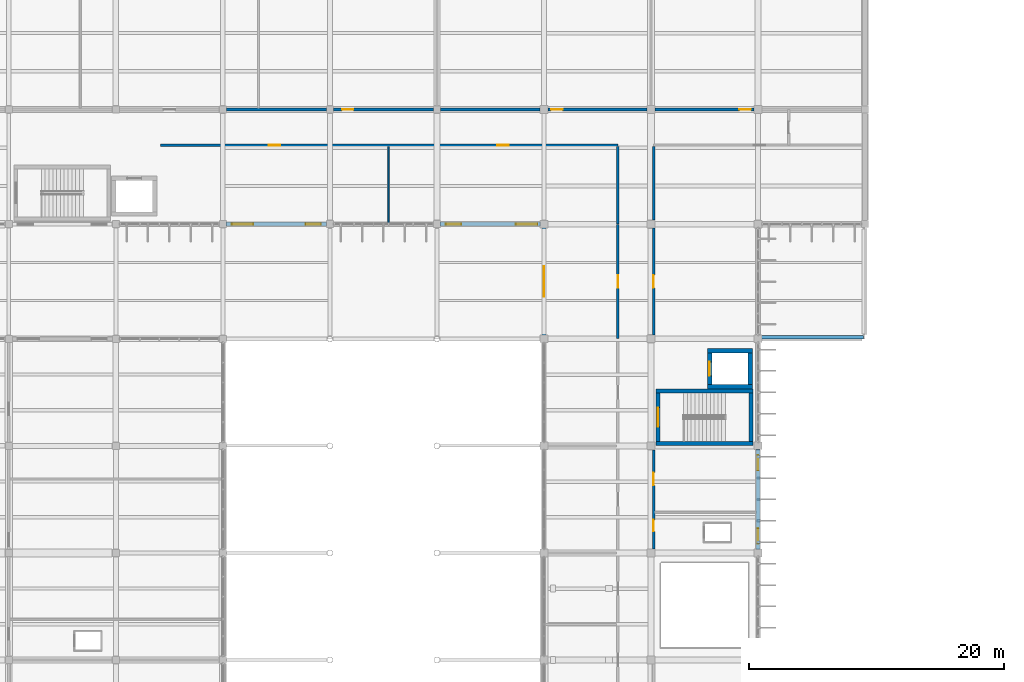
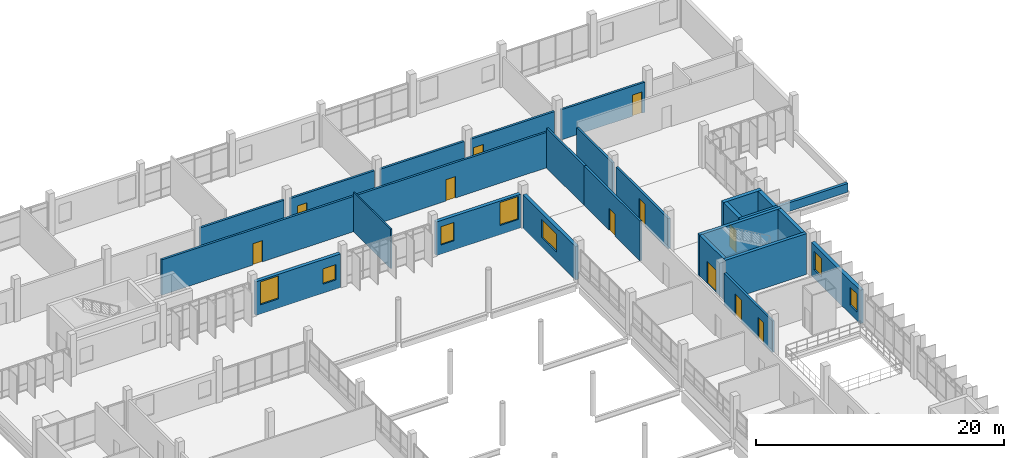
# One storey, part 116 of 130: 25 walls, 11 doors, 7 windows, 18 openings.
"""IFC4 building model written with IfcOpenShell, lengths in metres."""

from ifc_helpers import new_model, si_unit, direction, frame, frame_2d, origin, place, context, subcontext, project, spatial, rectangle, extrude, material, layer, layer_set, type_object, element, fill, save


model = new_model("IFC4")

# Units and contexts
model_context = context("Model", 3, precision=1e-05, world=origin(), true_north=direction((0.0, 1.0)))
body_context = subcontext(model_context, "Body", "Model", "MODEL_VIEW")
ifc_project = project(units=[si_unit("LENGTHUNIT", "METRE"), si_unit("AREAUNIT", "SQUARE_METRE"), si_unit("VOLUMEUNIT", "CUBIC_METRE"), si_unit("PLANEANGLEUNIT", "RADIAN"), si_unit("MASSUNIT", "GRAM", prefix="KILO")], contexts=[model_context])

# Site, building, storey
site_placement = place(None, origin())
site = spatial("IfcSite", under=ifc_project, at=site_placement, CompositionType="ELEMENT")
building_placement = place(site_placement, origin())
building = spatial("IfcBuilding", under=site, at=building_placement, Name="Vireocrest Preparatory School", CompositionType="ELEMENT")
storey_placement = place(building_placement, frame((0.0, 0.0, 9.0)))
storey = spatial("IfcBuildingStorey", under=building, at=storey_placement, Name="L02", CompositionType="ELEMENT", Elevation=9.0)

# Wall
ifc_material_1 = material(Name="Gypsum board on cold-formed steel studs", Category="steel")
ifc_layer_1 = layer(ifc_material_1, 0.199951171875)
ifc_layer_set_1 = layer_set([ifc_layer_1], Name="Gypsum board on cold-formed steel studs")
wall_type_1 = type_object("IfcWallType", Name="Corridor One-Hour Fire Partition 200", PredefinedType="PARTITIONING", material=ifc_layer_set_1)
wall_1_placement = place(storey_placement, frame((67.485107421875, 103.800048828125, 0.0), z_axis=(0.0, 0.0, 1.0), x_axis=(1.0, 0.0, 0.0)))
element("IfcWall", 1, at=wall_1_placement, inside=storey, type_object=wall_type_1, Name="Interior Partition W06 IW_L02_0212", PredefinedType="PARTITIONING", context=body_context, shape_type="SweptSolid", body=[
    extrude(rectangle(XDim=7.829833984375, YDim=0.199951171875, at=frame_2d((3.9150390625, 0.0))), origin(), (0.0, 0.0, 1.0), 3.110107421875),
])

# Wall, opening, door
wall_2_placement = place(storey_placement, frame((75.885009765625, 103.800048828125, 0.0), z_axis=(0.0, 0.0, 1.0), x_axis=(1.0, 0.0, 0.0)))
wall_2 = element("IfcWall", 2, at=wall_2_placement, inside=storey, type_object=wall_type_1, Name="Interior Partition W06 IW_L02_0213", PredefinedType="PARTITIONING", context=body_context, shape_type="SweptSolid", body=[
    extrude(rectangle(XDim=7.830078125, YDim=0.199951171875, at=frame_2d((3.9150390625, 0.0))), origin(), (0.0, 0.0, 1.0), 3.06005859375),
])
opening_1_placement = place(wall_2_placement, frame((0.6650390625, 0.0, 0.0)))
opening_1 = element("IfcOpeningElement", 3, at=opening_1_placement, cuts=wall_2, Name="Opening D-L02-N2N03", PredefinedType="OPENING", context=body_context, shape_type="SweptSolid", body=[
    extrude(rectangle(XDim=0.89990234375, YDim=2.10009765625, at=frame_2d((0.449951171875, 1.050048828125))), frame((0.0, 0.10986328125, 0.0), z_axis=(0.0, -1.0, 0.0), x_axis=(1.0, 0.0, 0.0)), (0.0, 0.0, 1.0), 0.219970703125),
])
ifc_material_2 = material(Name="Solid-core architectural birch timber", Category="wood")
door_type_1 = type_object("IfcDoorType", Name="Office Timber Door 900x2100", OperationType="NOTDEFINED", PredefinedType="DOOR", material=ifc_material_2)
door_1_placement = place(opening_1_placement, origin())
door_1 = element("IfcDoor", 4, at=door_1_placement, inside=storey, type_object=door_type_1, Name="Interior Door D-L02-N2N03", OperationType="SINGLE_SWING_LEFT", OverallHeight=2.10009765625, OverallWidth=0.89990234375, PredefinedType="DOOR", context=body_context, shape_type="SweptSolid", body=[
    extrude(rectangle(XDim=0.89990234375, YDim=2.10009765625, at=frame_2d((0.449951171875, 1.050048828125))), frame((0.0, 0.02490234375, 0.0), z_axis=(0.0, -1.0, 0.0), x_axis=(1.0, 0.0, 0.0)), (0.0, 0.0, 1.0), 0.050048828125),
])
fill(opening_1, door_1)

# Wall
wall_3_placement = place(storey_placement, frame((84.284912109375, 103.800048828125, 0.0), z_axis=(0.0, 0.0, 1.0), x_axis=(1.0, 0.0, 0.0)))
element("IfcWall", 5, at=wall_3_placement, inside=storey, type_object=wall_type_1, Name="Interior Partition W06 IW_L02_0214", PredefinedType="PARTITIONING", context=body_context, shape_type="SweptSolid", body=[
    extrude(rectangle(XDim=7.80517578125, YDim=0.199951171875, at=frame_2d((3.902587890625, 0.0))), origin(), (0.0, 0.0, 1.0), 3.010009765625),
])

# Wall, opening, door
wall_4_placement = place(storey_placement, frame((92.7099609375, 103.800048828125, 0.0), z_axis=(0.0, 0.0, 1.0), x_axis=(1.0, 0.0, 0.0)))
wall_4 = element("IfcWall", 6, at=wall_4_placement, inside=storey, type_object=wall_type_1, Name="Interior Partition W06 IW_L02_0215", PredefinedType="PARTITIONING", context=body_context, shape_type="SweptSolid", body=[
    extrude(rectangle(XDim=7.780029296875, YDim=0.199951171875, at=frame_2d((3.89013671875, 0.0))), origin(), (0.0, 0.0, 1.0), 3.010009765625),
])
opening_2_placement = place(wall_4_placement, frame((0.25, 0.0, 0.0)))
opening_2 = element("IfcOpeningElement", 7, at=opening_2_placement, cuts=wall_4, Name="Opening D-L02-N2N04", PredefinedType="OPENING", context=body_context, shape_type="SweptSolid", body=[
    extrude(rectangle(XDim=0.89990234375, YDim=2.10009765625, at=frame_2d((0.449951171875, 1.050048828125))), frame((0.0, 0.10986328125, 0.0), z_axis=(0.0, -1.0, 0.0), x_axis=(1.0, 0.0, 0.0)), (0.0, 0.0, 1.0), 0.219970703125),
])
door_2_placement = place(opening_2_placement, origin())
door_2 = element("IfcDoor", 8, at=door_2_placement, inside=storey, type_object=door_type_1, Name="Interior Door D-L02-N2N04", OperationType="SINGLE_SWING_RIGHT", OverallHeight=2.10009765625, OverallWidth=0.89990234375, PredefinedType="DOOR", context=body_context, shape_type="SweptSolid", body=[
    extrude(rectangle(XDim=0.89990234375, YDim=2.10009765625, at=frame_2d((0.449951171875, 1.050048828125))), frame((0.0, 0.02490234375, 0.0), z_axis=(0.0, -1.0, 0.0), x_axis=(1.0, 0.0, 0.0)), (0.0, 0.0, 1.0), 0.050048828125),
])
fill(opening_2, door_2)

wall_5_placement = place(storey_placement, frame((101.110107421875, 103.800048828125, 0.0), z_axis=(0.0, 0.0, 1.0), x_axis=(1.0, 0.0, 0.0)))
wall_5 = element("IfcWall", 9, at=wall_5_placement, inside=storey, type_object=wall_type_1, Name="Interior Partition W06 IW_L02_0216", PredefinedType="PARTITIONING", context=body_context, shape_type="SweptSolid", body=[
    extrude(rectangle(XDim=7.77978515625, YDim=0.199951171875, at=frame_2d((3.889892578125, 0.0))), origin(), (0.0, 0.0, 1.0), 2.9599609375),
])
opening_3_placement = place(wall_5_placement, frame((6.6298828125, 0.0, 0.0)))
opening_3 = element("IfcOpeningElement", 10, at=opening_3_placement, cuts=wall_5, Name="Opening D-L02-N2N05", PredefinedType="OPENING", context=body_context, shape_type="SweptSolid", body=[
    extrude(rectangle(XDim=0.89990234375, YDim=2.10009765625, at=frame_2d((0.449951171875, 1.050048828125))), frame((0.0, 0.10986328125, 0.0), z_axis=(0.0, -1.0, 0.0), x_axis=(1.0, 0.0, 0.0)), (0.0, 0.0, 1.0), 0.219970703125),
])
door_3_placement = place(opening_3_placement, origin())
door_3 = element("IfcDoor", 11, at=door_3_placement, inside=storey, type_object=door_type_1, Name="Interior Door D-L02-N2N05", OperationType="SINGLE_SWING_LEFT", OverallHeight=2.10009765625, OverallWidth=0.89990234375, PredefinedType="DOOR", context=body_context, shape_type="SweptSolid", body=[
    extrude(rectangle(XDim=0.89990234375, YDim=2.10009765625, at=frame_2d((0.449951171875, 1.050048828125))), frame((0.0, 0.02490234375, 0.0), z_axis=(0.0, -1.0, 0.0), x_axis=(1.0, 0.0, 0.0)), (0.0, 0.0, 1.0), 0.050048828125),
])
fill(opening_3, door_3)

# Wall, openings, doors
wall_6_placement = place(storey_placement, frame((62.31005859375, 101.0, 0.0), z_axis=(0.0, 0.0, 1.0), x_axis=(1.0, 0.0, 0.0)))
wall_6 = element("IfcWall", 12, at=wall_6_placement, inside=storey, type_object=wall_type_1, Name="Interior Partition W06 IW_L02_0219", PredefinedType="PARTITIONING", context=body_context, shape_type="SweptSolid", body=[
    extrude(rectangle(XDim=35.8798828125, YDim=0.199951171875, at=frame_2d((17.93994140625, 0.0))), origin(), (0.0, 0.0, 1.0), 3.47998046875),
])
opening_4_placement = place(wall_6_placement, frame((8.489990234375, 0.0, 0.0)))
opening_4 = element("IfcOpeningElement", 13, at=opening_4_placement, cuts=wall_6, Name="Opening D-L02-N2SW01", PredefinedType="OPENING", context=body_context, shape_type="SweptSolid", body=[
    extrude(rectangle(XDim=0.89990234375, YDim=2.10009765625, at=frame_2d((0.449951171875, 1.050048828125))), frame((0.0, 0.10986328125, 0.0), z_axis=(0.0, -1.0, 0.0), x_axis=(1.0, 0.0, 0.0)), (0.0, 0.0, 1.0), 0.219970703125),
])
opening_5_placement = place(wall_6_placement, frame((26.43994140625, 0.0, 0.0)))
opening_5 = element("IfcOpeningElement", 14, at=opening_5_placement, cuts=wall_6, Name="Opening D-L02-N2SW02", PredefinedType="OPENING", context=body_context, shape_type="SweptSolid", body=[
    extrude(rectangle(XDim=0.89990234375, YDim=2.10009765625, at=frame_2d((0.449951171875, 1.050048828125))), frame((0.0, 0.10986328125, 0.0), z_axis=(0.0, -1.0, 0.0), x_axis=(1.0, 0.0, 0.0)), (0.0, 0.0, 1.0), 0.219970703125),
])
door_4_placement = place(opening_4_placement, origin())
door_4 = element("IfcDoor", 15, at=door_4_placement, inside=storey, type_object=door_type_1, Name="Interior Door D-L02-N2SW01", OperationType="SINGLE_SWING_RIGHT", OverallHeight=2.10009765625, OverallWidth=0.89990234375, PredefinedType="DOOR", context=body_context, shape_type="SweptSolid", body=[
    extrude(rectangle(XDim=0.89990234375, YDim=2.10009765625, at=frame_2d((0.449951171875, 1.050048828125))), frame((0.0, 0.02490234375, 0.0), z_axis=(0.0, -1.0, 0.0), x_axis=(1.0, 0.0, 0.0)), (0.0, 0.0, 1.0), 0.050048828125),
])
fill(opening_4, door_4)
door_5_placement = place(opening_5_placement, origin())
door_5 = element("IfcDoor", 16, at=door_5_placement, inside=storey, type_object=door_type_1, Name="Interior Door D-L02-N2SW02", OperationType="SINGLE_SWING_LEFT", OverallHeight=2.10009765625, OverallWidth=0.89990234375, PredefinedType="DOOR", context=body_context, shape_type="SweptSolid", body=[
    extrude(rectangle(XDim=0.89990234375, YDim=2.10009765625, at=frame_2d((0.449951171875, 1.050048828125))), frame((0.0, 0.02490234375, 0.0), z_axis=(0.0, -1.0, 0.0), x_axis=(1.0, 0.0, 0.0)), (0.0, 0.0, 1.0), 0.050048828125),
])
fill(opening_5, door_5)

# Walls
wall_7_placement = place(storey_placement, frame((98.199951171875, 94.81005859375, 0.0), z_axis=(0.0, 0.0, 1.0), x_axis=(0.0, 1.0, 0.0)))
element("IfcWall", 17, at=wall_7_placement, inside=storey, type_object=wall_type_1, Name="Interior Partition W06 IW_L02_0220", PredefinedType="PARTITIONING", context=body_context, shape_type="SweptSolid", body=[
    extrude(rectangle(XDim=6.0849609375, YDim=0.199951171875, at=frame_2d((3.04248046875, 0.0))), origin(), (0.0, 0.0, 1.0), 3.89990234375),
])
wall_8_placement = place(storey_placement, frame((101.0, 95.110107421875, 0.0), z_axis=(0.0, 0.0, 1.0), x_axis=(0.0, 1.0, 0.0)))
element("IfcWall", 18, at=wall_8_placement, inside=storey, type_object=wall_type_1, Name="Interior Partition W06 IW_L02_0222", PredefinedType="PARTITIONING", context=body_context, shape_type="SweptSolid", body=[
    extrude(rectangle(XDim=5.784912109375, YDim=0.199951171875, at=frame_2d((2.892578125, 0.0))), origin(), (0.0, 0.0, 1.0), 3.010009765625),
])

# Wall, opening, door
wall_9_placement = place(storey_placement, frame((98.199951171875, 85.81005859375, 0.0), z_axis=(0.0, 0.0, 1.0), x_axis=(0.0, 1.0, 0.0)))
wall_9 = element("IfcWall", 19, at=wall_9_placement, inside=storey, type_object=wall_type_1, Name="Interior Partition W06 IW_L02_0223", PredefinedType="PARTITIONING", context=body_context, shape_type="SweptSolid", body=[
    extrude(rectangle(XDim=8.97998046875, YDim=0.199951171875, at=frame_2d((4.489990234375, 0.0))), origin(), (0.0, 0.0, 1.0), 3.89990234375),
])
opening_6_placement = place(wall_9_placement, frame((3.989990234375, 0.0, 0.0)))
opening_6 = element("IfcOpeningElement", 20, at=opening_6_placement, cuts=wall_9, Name="Opening D-L02-E2NLW01", PredefinedType="OPENING", context=body_context, shape_type="SweptSolid", body=[
    extrude(rectangle(XDim=1.0, YDim=2.14990234375, at=frame_2d((0.5, 1.074951171875))), frame((0.0, 0.10986328125, 0.0), z_axis=(0.0, -1.0, 0.0), x_axis=(1.0, 0.0, 0.0)), (0.0, 0.0, 1.0), 0.219970703125),
])
door_type_2 = type_object("IfcDoorType", Name="Classroom Acoustic Timber Door 1000x2150", OperationType="NOTDEFINED", PredefinedType="DOOR", material=ifc_material_2)
door_6_placement = place(opening_6_placement, origin())
door_6 = element("IfcDoor", 21, at=door_6_placement, inside=storey, type_object=door_type_2, Name="Interior Door D-L02-E2NLW01", OperationType="SINGLE_SWING_LEFT", OverallHeight=2.14990234375, OverallWidth=1.0, PredefinedType="DOOR", context=body_context, shape_type="SweptSolid", body=[
    extrude(rectangle(XDim=1.0, YDim=2.14990234375, at=frame_2d((0.5, 1.074951171875))), frame((0.0, 0.02490234375, 0.0), z_axis=(0.0, -1.0, 0.0), x_axis=(1.0, 0.0, 0.0)), (0.0, 0.0, 1.0), 0.050048828125),
])
fill(opening_6, door_6)

wall_10_placement = place(storey_placement, frame((101.0, 86.110107421875, 0.0), z_axis=(0.0, 0.0, 1.0), x_axis=(0.0, 1.0, 0.0)))
wall_10 = element("IfcWall", 22, at=wall_10_placement, inside=storey, type_object=wall_type_1, Name="Interior Partition W06 IW_L02_0224", PredefinedType="PARTITIONING", context=body_context, shape_type="SweptSolid", body=[
    extrude(rectangle(XDim=8.3798828125, YDim=0.199951171875, at=frame_2d((4.18994140625, 0.0))), origin(), (0.0, 0.0, 1.0), 2.989990234375),
])
opening_7_placement = place(wall_10_placement, frame((3.68994140625, 0.0, 0.0)))
opening_7 = element("IfcOpeningElement", 23, at=opening_7_placement, cuts=wall_10, Name="Opening D-L02-E2NLE01", PredefinedType="OPENING", context=body_context, shape_type="SweptSolid", body=[
    extrude(rectangle(XDim=1.0, YDim=2.14990234375, at=frame_2d((0.5, 1.074951171875))), frame((0.0, 0.10986328125, 0.0), z_axis=(0.0, -1.0, 0.0), x_axis=(1.0, 0.0, 0.0)), (0.0, 0.0, 1.0), 0.219970703125),
])
door_7_placement = place(opening_7_placement, origin())
door_7 = element("IfcDoor", 24, at=door_7_placement, inside=storey, type_object=door_type_2, Name="Interior Door D-L02-E2NLE01", OperationType="SINGLE_SWING_RIGHT", OverallHeight=2.14990234375, OverallWidth=1.0, PredefinedType="DOOR", context=body_context, shape_type="SweptSolid", body=[
    extrude(rectangle(XDim=1.0, YDim=2.14990234375, at=frame_2d((0.5, 1.074951171875))), frame((0.0, 0.02490234375, 0.0), z_axis=(0.0, -1.0, 0.0), x_axis=(1.0, 0.0, 0.0)), (0.0, 0.0, 1.0), 0.050048828125),
])
fill(opening_7, door_7)

# Wall, openings, doors
wall_11_placement = place(storey_placement, frame((101.0, 69.31005859375, 0.0), z_axis=(0.0, 0.0, 1.0), x_axis=(0.0, 1.0, 0.0)))
wall_11 = element("IfcWall", 25, at=wall_11_placement, inside=storey, type_object=wall_type_1, Name="Interior Partition W06 IW_L02_0239", PredefinedType="PARTITIONING", context=body_context, shape_type="SweptSolid", body=[
    extrude(rectangle(XDim=7.780029296875, YDim=0.199951171875, at=frame_2d((3.89013671875, 0.0))), origin(), (0.0, 0.0, 1.0), 3.090087890625),
])
opening_8_placement = place(wall_11_placement, frame((1.389892578125, 0.0, 0.0)))
opening_8 = element("IfcOpeningElement", 26, at=opening_8_placement, cuts=wall_11, Name="Opening D-L02-E2ENN01", PredefinedType="OPENING", context=body_context, shape_type="SweptSolid", body=[
    extrude(rectangle(XDim=0.89990234375, YDim=2.10009765625, at=frame_2d((0.449951171875, 1.050048828125))), frame((0.0, 0.10986328125, 0.0), z_axis=(0.0, -1.0, 0.0), x_axis=(1.0, 0.0, 0.0)), (0.0, 0.0, 1.0), 0.219970703125),
])
opening_9_placement = place(wall_11_placement, frame((4.989990234375, 0.0, 0.0)))
opening_9 = element("IfcOpeningElement", 27, at=opening_9_placement, cuts=wall_11, Name="Opening D-L02-E2ENN02", PredefinedType="OPENING", context=body_context, shape_type="SweptSolid", body=[
    extrude(rectangle(XDim=1.0, YDim=2.14990234375, at=frame_2d((0.5, 1.074951171875))), frame((0.0, 0.10986328125, 0.0), z_axis=(0.0, -1.0, 0.0), x_axis=(1.0, 0.0, 0.0)), (0.0, 0.0, 1.0), 0.219970703125),
])
door_8_placement = place(opening_9_placement, origin())
door_8 = element("IfcDoor", 28, at=door_8_placement, inside=storey, type_object=door_type_2, Name="Interior Door D-L02-E2ENN02", OperationType="SINGLE_SWING_LEFT", OverallHeight=2.14990234375, OverallWidth=1.0, PredefinedType="DOOR", context=body_context, shape_type="SweptSolid", body=[
    extrude(rectangle(XDim=1.0, YDim=2.14990234375, at=frame_2d((0.5, 1.074951171875))), frame((0.0, 0.02490234375, 0.0), z_axis=(0.0, -1.0, 0.0), x_axis=(1.0, 0.0, 0.0)), (0.0, 0.0, 1.0), 0.050048828125),
])
fill(opening_9, door_8)
door_9_placement = place(opening_8_placement, origin())
door_9 = element("IfcDoor", 29, at=door_9_placement, inside=storey, type_object=door_type_1, Name="Interior Door D-L02-E2ENN01", OperationType="SINGLE_SWING_RIGHT", OverallHeight=2.10009765625, OverallWidth=0.89990234375, PredefinedType="DOOR", context=body_context, shape_type="SweptSolid", body=[
    extrude(rectangle(XDim=0.89990234375, YDim=2.10009765625, at=frame_2d((0.449951171875, 1.050048828125))), frame((0.0, 0.02490234375, 0.0), z_axis=(0.0, -1.0, 0.0), x_axis=(1.0, 0.0, 0.0)), (0.0, 0.0, 1.0), 0.050048828125),
])
fill(opening_8, door_9)

# Wall, openings, windows
ifc_material_3 = material(Name="Precast white concrete 40 MPa", Category="concrete")
ifc_layer_2 = layer(ifc_material_3, 0.320068359375)
ifc_layer_set_2 = layer_set([ifc_layer_2], Name="Precast white concrete 40 MPa")
wall_type_2 = type_object("IfcWallType", Name="High-Tech Insulated Rainscreen External Wall 320", PredefinedType="SOLIDWALL", material=ifc_layer_set_2)
wall_12_placement = place(storey_placement, frame((109.199951171875, 69.27490234375, 0.0), z_axis=(0.0, 0.0, 1.0), x_axis=(0.0, 1.0, 0.0)))
wall_12 = element("IfcWall", 30, at=wall_12_placement, inside=storey, type_object=wall_type_2, Name="External Wall W12 EW_L02_0231", PredefinedType="SOLIDWALL", context=body_context, shape_type="SweptSolid", body=[
    extrude(rectangle(XDim=7.85009765625, YDim=0.320068359375, at=frame_2d((3.925048828125, 0.0))), origin(), (0.0, 0.0, 1.0), 3.2900390625),
])
opening_10_placement = place(wall_12_placement, frame((0.449951171875, 0.0, 0.85009765625)))
opening_10 = element("IfcOpeningElement", 31, at=opening_10_placement, cuts=wall_12, Name="Opening WN02", PredefinedType="OPENING", context=body_context, shape_type="SweptSolid", body=[
    extrude(rectangle(XDim=1.199951171875, YDim=1.800048828125, at=frame_2d((0.60009765625, 0.89990234375))), frame((0.0, 0.169921875, 0.0), z_axis=(0.0, -1.0, 0.0), x_axis=(1.0, 0.0, 0.0)), (0.0, 0.0, 1.0), 0.340087890625),
])
opening_11_placement = place(wall_12_placement, frame((6.199951171875, 0.0, 0.85009765625)))
opening_11 = element("IfcOpeningElement", 32, at=opening_11_placement, cuts=wall_12, Name="Opening WN02", PredefinedType="OPENING", context=body_context, shape_type="SweptSolid", body=[
    extrude(rectangle(XDim=1.199951171875, YDim=1.800048828125, at=frame_2d((0.60009765625, 0.89990234375))), frame((0.0, 0.169921875, 0.0), z_axis=(0.0, -1.0, 0.0), x_axis=(1.0, 0.0, 0.0)), (0.0, 0.0, 1.0), 0.340087890625),
])
ifc_material_4 = material(Name="Thermally broken aluminium EN AW-6063-T6", Category="aluminium")
window_type_1 = type_object("IfcWindowType", Name="Counseling Window 1200x1800", PartitioningType="SINGLE_PANEL", PredefinedType="WINDOW", material=ifc_material_4)
window_1_placement = place(opening_10_placement, origin())
window_1 = element("IfcWindow", 33, at=window_1_placement, inside=storey, type_object=window_type_1, Name="Window W-L02-102 (WN02)", OverallHeight=1.800048828125, OverallWidth=1.199951171875, PartitioningType="SINGLE_PANEL", PredefinedType="WINDOW", context=body_context, shape_type="SweptSolid", body=[
    extrude(rectangle(XDim=1.199951171875, YDim=1.800048828125, at=frame_2d((0.60009765625, 0.89990234375))), frame((0.0, 0.030029296875, 0.0), z_axis=(0.0, -1.0, 0.0), x_axis=(1.0, 0.0, 0.0)), (0.0, 0.0, 1.0), 0.06005859375),
])
fill(opening_10, window_1)
window_2_placement = place(opening_11_placement, origin())
window_2 = element("IfcWindow", 34, at=window_2_placement, inside=storey, type_object=window_type_1, Name="Window W-L02-103 (WN02)", OverallHeight=1.800048828125, OverallWidth=1.199951171875, PartitioningType="SINGLE_PANEL", PredefinedType="WINDOW", context=body_context, shape_type="SweptSolid", body=[
    extrude(rectangle(XDim=1.199951171875, YDim=1.800048828125, at=frame_2d((0.60009765625, 0.89990234375))), frame((0.0, 0.030029296875, 0.0), z_axis=(0.0, -1.0, 0.0), x_axis=(1.0, 0.0, 0.0)), (0.0, 0.0, 1.0), 0.06005859375),
])
fill(opening_11, window_2)

wall_13_placement = place(storey_placement, frame((67.449951171875, 94.800048828125, 0.0), z_axis=(0.0, 0.0, 1.0), x_axis=(1.0, 0.0, 0.0)))
wall_13 = element("IfcWall", 35, at=wall_13_placement, inside=storey, type_object=wall_type_2, Name="External Wall W12 EW_L02_0251", PredefinedType="SOLIDWALL", context=body_context, shape_type="SweptSolid", body=[
    extrude(rectangle(XDim=7.900146484375, YDim=0.320068359375, at=frame_2d((3.9501953125, 0.0))), origin(), (0.0, 0.0, 1.0), 3.31005859375),
])
opening_12_placement = place(wall_13_placement, frame((0.449951171875, 0.0, 0.89990234375)))
opening_12 = element("IfcOpeningElement", 36, at=opening_12_placement, cuts=wall_13, Name="Opening WN07", PredefinedType="OPENING", context=body_context, shape_type="SweptSolid", body=[
    extrude(rectangle(XDim=1.679931640625, YDim=2.260009765625, at=frame_2d((0.83984375, 1.1298828125))), frame((0.0, 0.169921875, 0.0), z_axis=(0.0, -1.0, 0.0), x_axis=(1.0, 0.0, 0.0)), (0.0, 0.0, 1.0), 0.340087890625),
])
opening_13_placement = place(wall_13_placement, frame((6.25, 0.0, 0.89990234375)))
opening_13 = element("IfcOpeningElement", 37, at=opening_13_placement, cuts=wall_13, Name="Opening WN01", PredefinedType="OPENING", context=body_context, shape_type="SweptSolid", body=[
    extrude(rectangle(XDim=1.199951171875, YDim=1.5, at=frame_2d((0.60009765625, 0.75))), frame((0.0, 0.169921875, 0.0), z_axis=(0.0, -1.0, 0.0), x_axis=(1.0, 0.0, 0.0)), (0.0, 0.0, 1.0), 0.340087890625),
])
window_type_2 = type_object("IfcWindowType", Name="Module Lab Window 1680x2400", PartitioningType="SINGLE_PANEL", PredefinedType="WINDOW", material=ifc_material_4)
window_3_placement = place(opening_12_placement, origin())
window_3 = element("IfcWindow", 38, at=window_3_placement, inside=storey, type_object=window_type_2, Name="Window W-L02-116 (WN07)", OverallHeight=2.260009765625, OverallWidth=1.679931640625, PartitioningType="SINGLE_PANEL", PredefinedType="WINDOW", context=body_context, shape_type="SweptSolid", body=[
    extrude(rectangle(XDim=1.679931640625, YDim=2.260009765625, at=frame_2d((0.83984375, 1.1298828125))), frame((0.0, 0.030029296875, 0.0), z_axis=(0.0, -1.0, 0.0), x_axis=(1.0, 0.0, 0.0)), (0.0, 0.0, 1.0), 0.06005859375),
])
fill(opening_12, window_3)
window_type_3 = type_object("IfcWindowType", Name="Office Punched Window 1200x1500", PartitioningType="SINGLE_PANEL", PredefinedType="WINDOW", material=ifc_material_4)
window_4_placement = place(opening_13_placement, origin())
window_4 = element("IfcWindow", 39, at=window_4_placement, inside=storey, type_object=window_type_3, Name="Window W-L02-117 (WN01)", OverallHeight=1.5, OverallWidth=1.199951171875, PartitioningType="SINGLE_PANEL", PredefinedType="WINDOW", context=body_context, shape_type="SweptSolid", body=[
    extrude(rectangle(XDim=1.199951171875, YDim=1.5, at=frame_2d((0.60009765625, 0.75))), frame((0.0, 0.030029296875, 0.0), z_axis=(0.0, -1.0, 0.0), x_axis=(1.0, 0.0, 0.0)), (0.0, 0.0, 1.0), 0.06005859375),
])
fill(opening_13, window_4)

wall_14_placement = place(storey_placement, frame((84.25, 94.800048828125, 0.0), z_axis=(0.0, 0.0, 1.0), x_axis=(1.0, 0.0, 0.0)))
wall_14 = element("IfcWall", 40, at=wall_14_placement, inside=storey, type_object=wall_type_2, Name="External Wall W12 EW_L02_0253", PredefinedType="SOLIDWALL", context=body_context, shape_type="SweptSolid", body=[
    extrude(rectangle(XDim=7.875, YDim=0.320068359375, at=frame_2d((3.9375, 0.0))), origin(), (0.0, 0.0, 1.0), 3.31005859375),
])
opening_14_placement = place(wall_14_placement, frame((0.449951171875, 0.0, 0.89990234375)))
opening_14 = element("IfcOpeningElement", 41, at=opening_14_placement, cuts=wall_14, Name="Opening WN02", PredefinedType="OPENING", context=body_context, shape_type="SweptSolid", body=[
    extrude(rectangle(XDim=1.199951171875, YDim=1.800048828125, at=frame_2d((0.60009765625, 0.89990234375))), frame((0.0, 0.169921875, 0.0), z_axis=(0.0, -1.0, 0.0), x_axis=(1.0, 0.0, 0.0)), (0.0, 0.0, 1.0), 0.340087890625),
])
opening_15_placement = place(wall_14_placement, frame((5.945068359375, 0.0, 0.89990234375)))
opening_15 = element("IfcOpeningElement", 42, at=opening_15_placement, cuts=wall_14, Name="Opening WN07", PredefinedType="OPENING", context=body_context, shape_type="SweptSolid", body=[
    extrude(rectangle(XDim=1.679931640625, YDim=2.260009765625, at=frame_2d((0.83984375, 1.1298828125))), frame((0.0, 0.169921875, 0.0), z_axis=(0.0, -1.0, 0.0), x_axis=(1.0, 0.0, 0.0)), (0.0, 0.0, 1.0), 0.340087890625),
])
window_5_placement = place(opening_14_placement, origin())
window_5 = element("IfcWindow", 43, at=window_5_placement, inside=storey, type_object=window_type_1, Name="Window W-L02-118 (WN02)", OverallHeight=1.800048828125, OverallWidth=1.199951171875, PartitioningType="SINGLE_PANEL", PredefinedType="WINDOW", context=body_context, shape_type="SweptSolid", body=[
    extrude(rectangle(XDim=1.199951171875, YDim=1.800048828125, at=frame_2d((0.60009765625, 0.89990234375))), frame((0.0, 0.030029296875, 0.0), z_axis=(0.0, -1.0, 0.0), x_axis=(1.0, 0.0, 0.0)), (0.0, 0.0, 1.0), 0.06005859375),
])
fill(opening_14, window_5)
window_6_placement = place(opening_15_placement, origin())
window_6 = element("IfcWindow", 44, at=window_6_placement, inside=storey, type_object=window_type_2, Name="Window W-L02-119 (WN07)", OverallHeight=2.260009765625, OverallWidth=1.679931640625, PartitioningType="SINGLE_PANEL", PredefinedType="WINDOW", context=body_context, shape_type="SweptSolid", body=[
    extrude(rectangle(XDim=1.679931640625, YDim=2.260009765625, at=frame_2d((0.83984375, 1.1298828125))), frame((0.0, 0.030029296875, 0.0), z_axis=(0.0, -1.0, 0.0), x_axis=(1.0, 0.0, 0.0)), (0.0, 0.0, 1.0), 0.06005859375),
])
fill(opening_15, window_6)

# Wall, opening, window
wall_15_placement = place(storey_placement, frame((92.39990234375, 86.074951171875, 0.0), z_axis=(0.0, 0.0, 1.0), x_axis=(0.0, 1.0, 0.0)))
wall_15 = element("IfcWall", 45, at=wall_15_placement, inside=storey, type_object=wall_type_2, Name="External Wall W12 EW_L02_0254", PredefinedType="SOLIDWALL", context=body_context, shape_type="SweptSolid", body=[
    extrude(rectangle(XDim=8.449951171875, YDim=0.320068359375, at=frame_2d((4.22509765625, 0.0))), origin(), (0.0, 0.0, 1.0), 3.2900390625),
])
opening_16_placement = place(wall_15_placement, frame((3.02490234375, 0.0, 0.89990234375)))
opening_16 = element("IfcOpeningElement", 46, at=opening_16_placement, cuts=wall_15, Name="Opening WN12", PredefinedType="OPENING", context=body_context, shape_type="SweptSolid", body=[
    extrude(rectangle(XDim=2.39990234375, YDim=1.800048828125, at=frame_2d((1.199951171875, 0.89990234375))), frame((0.0, 0.169921875, 0.0), z_axis=(0.0, -1.0, 0.0), x_axis=(1.0, 0.0, 0.0)), (0.0, 0.0, 1.0), 0.340087890625),
])
window_type_4 = type_object("IfcWindowType", Name="Classroom Paired Window 2400x1800", PartitioningType="DOUBLE_PANEL_VERTICAL", PredefinedType="WINDOW", material=ifc_material_4)
window_7_placement = place(opening_16_placement, origin())
window_7 = element("IfcWindow", 47, at=window_7_placement, inside=storey, type_object=window_type_4, Name="Window W-L02-120 (WN12)", OverallHeight=1.800048828125, OverallWidth=2.39990234375, PartitioningType="SINGLE_PANEL", PredefinedType="WINDOW", context=body_context, shape_type="SweptSolid", body=[
    extrude(rectangle(XDim=2.39990234375, YDim=1.800048828125, at=frame_2d((1.199951171875, 0.89990234375))), frame((0.0, 0.030029296875, 0.0), z_axis=(0.0, -1.0, 0.0), x_axis=(1.0, 0.0, 0.0)), (0.0, 0.0, 1.0), 0.06005859375),
])
fill(opening_16, window_7)

# Walls
ifc_layer_3 = layer(ifc_material_3, 0.260009765625)
ifc_layer_set_3 = layer_set([ifc_layer_3], Name="Precast white concrete 40 MPa")
wall_type_3 = type_object("IfcWallType", Name="Insulated Roof Parapet Wall 260", PredefinedType="PARAPET", material=ifc_layer_set_3)
wall_16_placement = place(storey_placement, frame((109.330078125, 85.929931640625, 0.0), z_axis=(0.0, 0.0, 1.0), x_axis=(1.0, 0.0, 0.0)))
element("IfcWall", 48, at=wall_16_placement, inside=storey, type_object=wall_type_3, Name="Roof Parapet W09 L02_NORTH_EAST_TIP_ROOF-3", PredefinedType="PARAPET", context=body_context, shape_type="SweptSolid", body=[
    extrude(rectangle(XDim=8.139892578125, YDim=0.260009765625, at=frame_2d((4.06982421875, 0.0))), origin(), (0.0, 0.0, 1.0), 0.85009765625),
])
ifc_layer_4 = layer(ifc_material_1, 0.1201171875)
ifc_layer_set_4 = layer_set([ifc_layer_4], Name="Gypsum board on cold-formed steel studs")
wall_type_4 = type_object("IfcWallType", Name="Office Stud Partition Wall 120", PredefinedType="PARTITIONING", material=ifc_layer_set_4)
wall_17_placement = place(storey_placement, frame((80.199951171875, 94.905029296875, 0.0), z_axis=(0.0, 0.0, 1.0), x_axis=(0.0, 1.0, 0.0)))
element("IfcWall", 49, at=wall_17_placement, inside=storey, type_object=wall_type_4, Name="Interior Partition W02 IW_L02_0218", PredefinedType="PARTITIONING", context=body_context, shape_type="SweptSolid", body=[
    extrude(rectangle(XDim=5.989990234375, YDim=0.1201171875, at=frame_2d((2.9951171875, 0.0))), origin(), (0.0, 0.0, 1.0), 3.89990234375),
])
ifc_material_5 = material(Name="Concrete 45 MPa", Category="concrete")
ifc_layer_5 = layer(ifc_material_5, 0.35009765625)
ifc_layer_set_5 = layer_set([ifc_layer_5], Name="Concrete 45 MPa")
wall_type_5 = type_object("IfcWallType", Name="Two-Hour RC Lift Core Shear Wall 350", PredefinedType="SHEAR", material=ifc_layer_set_5)
for number, where, z_axis, x_axis, name in (
    (50, (105.22509765625, 82.050048828125, 0.0), (0.0, 0.0, 1.0), (1.0, 0.0, 0.0), "Lift Core Shear Wall LF4 L02-S"),
    (51, (105.22509765625, 84.85009765625, 0.0), (0.0, 0.0, 1.0), (1.0, 0.0, 0.0), "Lift Core Shear Wall LF4 L02-N"),
):
    element("IfcWall", number, at=place(storey_placement, frame(where, z_axis=z_axis, x_axis=x_axis)), inside=storey, type_object=wall_type_5, Name=name, PredefinedType="SHEAR", context=body_context, shape_type="SweptSolid", body=[
        extrude(rectangle(XDim=3.5498046875, YDim=0.35009765625, at=frame_2d((1.77490234375, 0.0))), origin(), (0.0, 0.0, 1.0), 3.919921875),
    ])

# Wall, opening, door
wall_18_placement = place(storey_placement, frame((105.39990234375, 82.22509765625, 0.0), z_axis=(0.0, 0.0, 1.0), x_axis=(0.0, 1.0, 0.0)))
wall_18 = element("IfcWall", 52, at=wall_18_placement, inside=storey, type_object=wall_type_5, Name="Lift Core Shear Wall LF4 L02-W", PredefinedType="SHEAR", context=body_context, shape_type="SweptSolid", body=[
    extrude(rectangle(XDim=2.449951171875, YDim=0.35009765625, at=frame_2d((1.22509765625, 0.0))), origin(), (0.0, 0.0, 1.0), 3.919921875),
])
opening_17_placement = place(wall_18_placement, frame((0.675048828125, 0.0, 0.0)))
opening_17 = element("IfcOpeningElement", 53, at=opening_17_placement, cuts=wall_18, Name="Opening LD-LF4-L02", PredefinedType="OPENING", context=body_context, shape_type="SweptSolid", body=[
    extrude(rectangle(XDim=1.10009765625, YDim=2.199951171875, at=frame_2d((0.550048828125, 1.10009765625))), frame((0.0, 0.18505859375, 0.0), z_axis=(0.0, -1.0, 0.0), x_axis=(1.0, 0.0, 0.0)), (0.0, 0.0, 1.0), 0.3701171875),
])
ifc_material_6 = material(Name="Painted galvanized hollow steel", Category="steel")
door_type_3 = type_object("IfcDoorType", Name="Lift Landing Sliding Door 1100x2200", OperationType="DOUBLE_DOOR_SLIDING", PredefinedType="DOOR", material=ifc_material_6)
door_10_placement = place(opening_17_placement, origin())
door_10 = element("IfcDoor", 54, at=door_10_placement, inside=storey, type_object=door_type_3, Name="Lift Landing Door LD-LF4-L02", OperationType="DOUBLE_DOOR_SLIDING", OverallHeight=2.199951171875, OverallWidth=1.10009765625, PredefinedType="DOOR", context=body_context, shape_type="SweptSolid", body=[
    extrude(rectangle(XDim=1.10009765625, YDim=2.199951171875, at=frame_2d((0.550048828125, 1.10009765625))), frame((0.0, 0.02490234375, 0.0), z_axis=(0.0, -1.0, 0.0), x_axis=(1.0, 0.0, 0.0)), (0.0, 0.0, 1.0), 0.050048828125),
])
fill(opening_17, door_10)

# Walls
wall_19_placement = place(storey_placement, frame((108.60009765625, 82.22509765625, 0.0), z_axis=(0.0, 0.0, 1.0), x_axis=(0.0, 1.0, 0.0)))
element("IfcWall", 55, at=wall_19_placement, inside=storey, type_object=wall_type_5, Name="Lift Core Shear Wall LF4 L02-E", PredefinedType="SHEAR", context=body_context, shape_type="SweptSolid", body=[
    extrude(rectangle(XDim=2.449951171875, YDim=0.35009765625, at=frame_2d((1.22509765625, 0.0))), origin(), (0.0, 0.0, 1.0), 3.919921875),
])
ifc_layer_6 = layer(ifc_material_5, 0.300048828125)
ifc_layer_set_6 = layer_set([ifc_layer_6], Name="Concrete 45 MPa")
wall_type_6 = type_object("IfcWallType", Name="Two-Hour RC Stair Shaft Shear Wall 300", PredefinedType="SHEAR", material=ifc_layer_set_6)
for number, where, z_axis, x_axis, name in (
    (56, (101.199951171875, 77.60009765625, 0.0), (0.0, 0.0, 1.0), (1.0, 0.0, 0.0), "Stair Core Shear Wall ST4 L02-S"),
    (57, (101.199951171875, 81.699951171875, 0.0), (0.0, 0.0, 1.0), (1.0, 0.0, 0.0), "Stair Core Shear Wall ST4 L02-N"),
):
    element("IfcWall", number, at=place(storey_placement, frame(where, z_axis=z_axis, x_axis=x_axis)), inside=storey, type_object=wall_type_6, Name=name, PredefinedType="SHEAR", context=body_context, shape_type="SweptSolid", body=[
        extrude(rectangle(XDim=7.60009765625, YDim=0.300048828125, at=frame_2d((3.800048828125, 0.0))), origin(), (0.0, 0.0, 1.0), 4.02490234375),
    ])

# Wall, opening, door
wall_20_placement = place(storey_placement, frame((101.35009765625, 77.75, 0.0), z_axis=(0.0, 0.0, 1.0), x_axis=(0.0, 1.0, 0.0)))
wall_20 = element("IfcWall", 58, at=wall_20_placement, inside=storey, type_object=wall_type_6, Name="Stair Core Shear Wall ST4 L02-W", PredefinedType="SHEAR", context=body_context, shape_type="SweptSolid", body=[
    extrude(rectangle(XDim=3.800048828125, YDim=0.300048828125, at=frame_2d((1.89990234375, 0.0))), origin(), (0.0, 0.0, 1.0), 4.02490234375),
])
opening_18_placement = place(wall_20_placement, frame((1.14990234375, 0.0, 0.0)))
opening_18 = element("IfcOpeningElement", 59, at=opening_18_placement, cuts=wall_20, Name="Opening SD-ST4-L02", PredefinedType="OPENING", context=body_context, shape_type="SweptSolid", body=[
    extrude(rectangle(XDim=1.5, YDim=2.199951171875, at=frame_2d((0.75, 1.10009765625))), frame((0.0, 0.159912109375, 0.0), z_axis=(0.0, -1.0, 0.0), x_axis=(1.0, 0.0, 0.0)), (0.0, 0.0, 1.0), 0.320068359375),
])
door_type_4 = type_object("IfcDoorType", Name="Stair Enclosure Fire Door 1500x2200", OperationType="DOUBLE_DOOR_SINGLE_SWING", PredefinedType="DOOR", material=ifc_material_6)
door_11_placement = place(opening_18_placement, origin())
door_11 = element("IfcDoor", 60, at=door_11_placement, inside=storey, type_object=door_type_4, Name="Stair Enclosure Fire Door SD-ST4-L02", OperationType="DOUBLE_DOOR_SINGLE_SWING", OverallHeight=2.199951171875, OverallWidth=1.5, PredefinedType="DOOR", context=body_context, shape_type="SweptSolid", body=[
    extrude(rectangle(XDim=1.5, YDim=2.199951171875, at=frame_2d((0.75, 1.10009765625))), frame((0.0, 0.02490234375, 0.0), z_axis=(0.0, -1.0, 0.0), x_axis=(1.0, 0.0, 0.0)), (0.0, 0.0, 1.0), 0.050048828125),
])
fill(opening_18, door_11)

# Wall
wall_21_placement = place(storey_placement, frame((108.64990234375, 77.75, 0.0), z_axis=(0.0, 0.0, 1.0), x_axis=(0.0, 1.0, 0.0)))
element("IfcWall", 61, at=wall_21_placement, inside=storey, type_object=wall_type_6, Name="Stair Core Shear Wall ST4 L02-E", PredefinedType="SHEAR", context=body_context, shape_type="SweptSolid", body=[
    extrude(rectangle(XDim=3.800048828125, YDim=0.300048828125, at=frame_2d((1.89990234375, 0.0))), origin(), (0.0, 0.0, 1.0), 4.02490234375),
])

save(model, "model.ifc")
